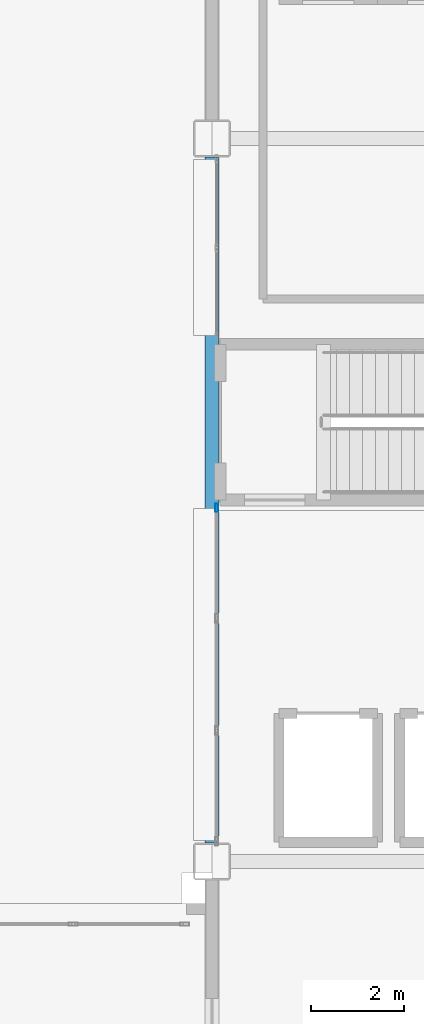
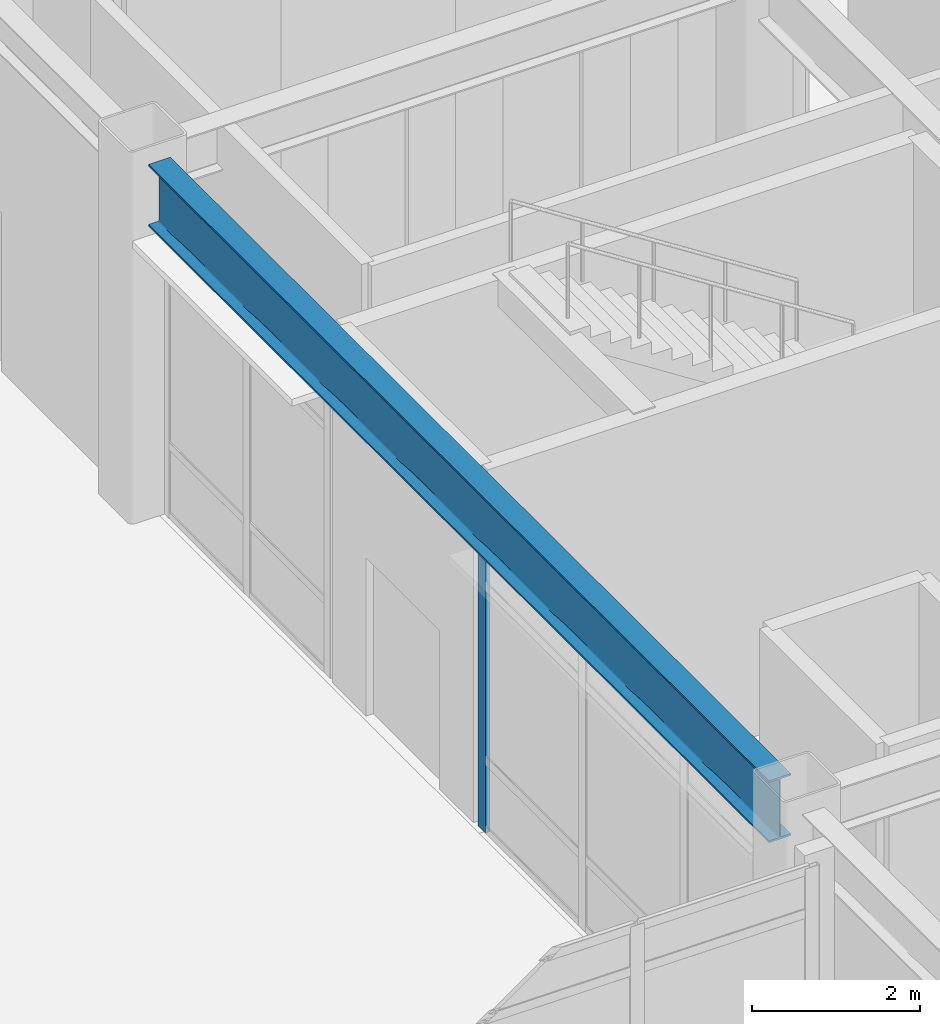
# One storey, part 96 of 165: 1 beam, 1 member, 1 element without a shape of its own.
"""IFC4 building model written with IfcOpenShell, lengths in metres."""

from ifc_helpers import new_model, si_unit, direction, frame, origin, origin_2d, place, context, subcontext, project, spatial, hollow_rectangle, i_section, extrude, material, layer, layer_set, material_profile, profile_set, type_object, element, aggregate, save


model = new_model("IFC4")

# Units and contexts
model_context = context("Model", 3, precision=1e-05, world=origin(), true_north=direction((0.0, 1.0)))
body_context = subcontext(model_context, "Body", "Model", "MODEL_VIEW")
ifc_project = project(units=[si_unit("LENGTHUNIT", "METRE"), si_unit("AREAUNIT", "SQUARE_METRE"), si_unit("VOLUMEUNIT", "CUBIC_METRE"), si_unit("PLANEANGLEUNIT", "RADIAN"), si_unit("MASSUNIT", "GRAM", prefix="KILO")], contexts=[model_context])

# Site, building, storey
site_placement = place(None, origin())
site = spatial("IfcSite", under=ifc_project, at=site_placement, CompositionType="ELEMENT")
building_placement = place(site_placement, origin())
building = spatial("IfcBuilding", under=site, at=building_placement, Name="Kazehara Bluff Congress Hotel", CompositionType="ELEMENT")
storey_placement = place(building_placement, origin())
storey = spatial("IfcBuildingStorey", under=building, at=storey_placement, Name="L00", CompositionType="ELEMENT", Elevation=0.0)

# Curtain wall, member
ifc_material_1 = material(Name="Anodised aluminium", Category="aluminium")
ifc_layer = layer(ifc_material_1, 0.159912109375)
ifc_layer_set = layer_set([ifc_layer], Name="Anodised aluminium")
curtain_wall_type = type_object("IfcCurtainWallType", Name="TP-CW-101", PredefinedType="NOTDEFINED", material=ifc_layer_set)
curtain_wall_placement = place(storey_placement, origin())
curtain_wall = element("IfcCurtainWall", 1, at=curtain_wall_placement, inside=storey, type_object=curtain_wall_type, Name="L00 curtain wall CW-101 CW-ENC-V5-L00-14380-4492", PredefinedType="NOTDEFINED")
ifc_material_2 = material(Name="Anodised aluminium", Category="aluminium")
ifc_material_profile_1 = material_profile(ifc_material_2, hollow_rectangle(XDim=0.06494140625, YDim=0.179931640625, WallThickness=0.00390625, InnerFilletRadius=0.00390625, OuterFilletRadius=0.008056640625, at=origin_2d()))
ifc_profile_set_1 = profile_set([ifc_material_profile_1], Name="Anodised aluminium")
member_type = type_object("IfcMemberType", Name="TP-CWM-02", PredefinedType="MULLION", material=ifc_profile_set_1)
member_placement = place(storey_placement, frame((143.800048828125, 48.507568359375, 0.0), z_axis=(0.0, 0.0, 1.0), x_axis=(-1.0, 0.0, 0.0)))
member = element("IfcMember", 2, at=member_placement, type_object=member_type, Name="CW-101 mullion 4", PredefinedType="MULLION", context=body_context, shape_type="SweptSolid", body=[
    extrude(hollow_rectangle(XDim=0.06494140625, YDim=0.179931640625, WallThickness=0.00390625, InnerFilletRadius=0.00390625, OuterFilletRadius=0.008056640625, at=origin_2d()), origin(), (0.0, 0.0, 1.0), 4.22509765625),
])
aggregate(curtain_wall, [member])

# Beam
ifc_material_3 = material(Name="Steel SN490B", Category="steel")
ifc_material_profile_2 = material_profile(ifc_material_3, i_section(OverallWidth=0.300048828125, OverallDepth=0.89990234375, WebThickness=0.01611328125, FlangeThickness=0.028076171875, FilletRadius=0.01806640625, at=origin_2d()))
ifc_profile_set_2 = profile_set([ifc_material_profile_2], Name="Steel SN490B")
beam_type = type_object("IfcBeamType", Name="TP-G-08", PredefinedType="BEAM", material=ifc_profile_set_2)
beam_placement = place(storey_placement, frame((143.699951171875, 41.300048828125, 4.699951171875), z_axis=(0.0, 1.0, 0.0), x_axis=(-1.0, 0.0, 0.0)))
element("IfcBeam", 3, at=beam_placement, inside=storey, type_object=beam_type, Name="L00 girder G-08 234", PredefinedType="BEAM", context=body_context, shape_type="SweptSolid", body=[
    extrude(i_section(OverallWidth=0.300048828125, OverallDepth=0.89990234375, WebThickness=0.01611328125, FlangeThickness=0.028076171875, FilletRadius=0.01806640625, at=origin_2d()), origin(), (0.0, 0.0, 1.0), 14.75),
])

save(model, "model.ifc")
